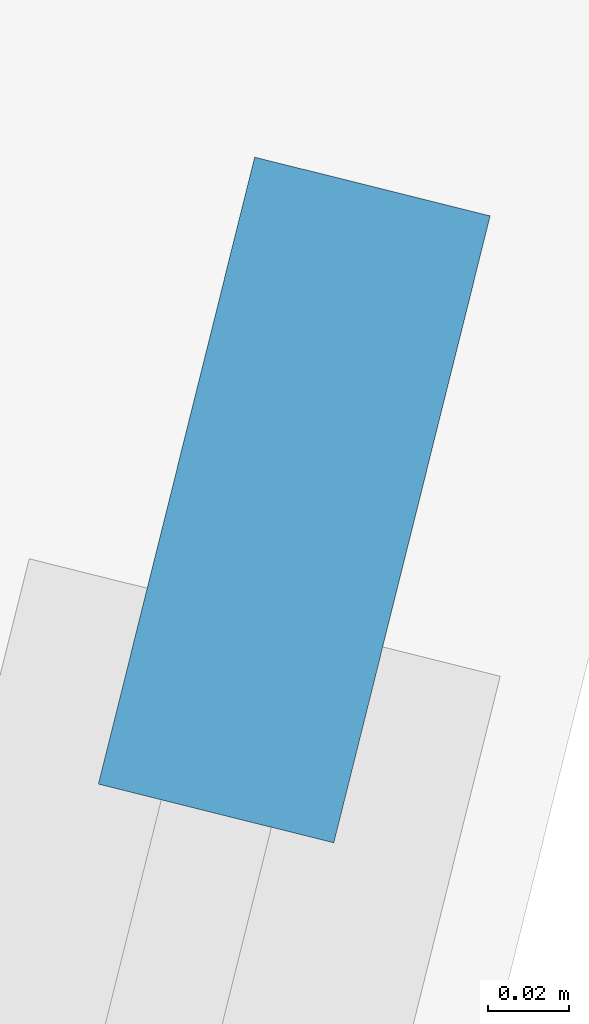
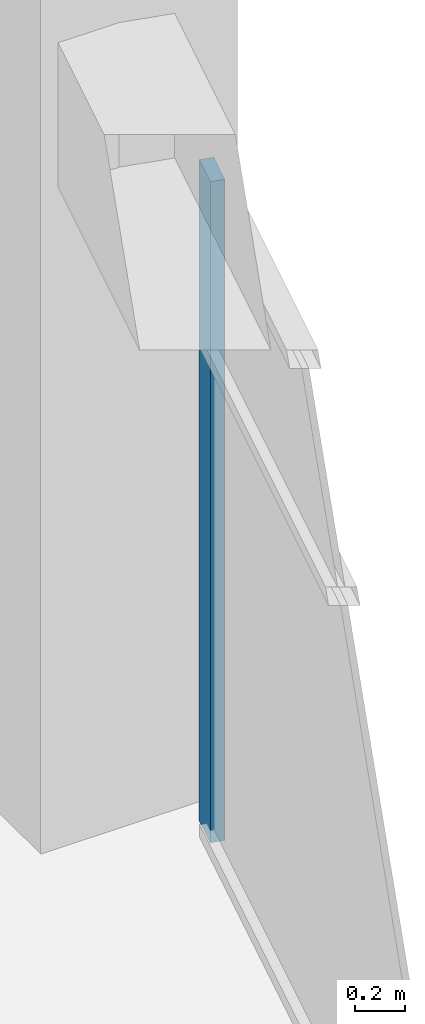
# One storey, part 5 of 13: 1 member, 1 element without a shape of its own.
"""IFC4 building model written with IfcOpenShell, lengths in metres."""

import ifcopenshell
import ifcopenshell.guid

model = None  # the IFC model being written
_history = None  # IfcOwnerHistory: only IFC2X3 demands one
_inside = {}  # id of a spatial element -> (the spatial element, [elements in it])
_under = {}  # id of a project, library or spatial element -> (it, [spatial elements below it])
_declared = {}  # id of a project -> (the project, [libraries it declares])
_typed = {}  # id of a type object -> (the type object, [elements of that type])
_made_of = {}  # id of a material, layer set ... -> (it, [elements and type objects made of it])


def new_model(schema):
    """Start an empty IFC model of exactly this schema.

    Asked for "IFC4X3", IfcOpenShell would pick the latest addendum, in which some entities
    have other attributes; the version numbers below select the first issue.
    IFC2X3 requires an IfcOwnerHistory on every rooted entity: one is made here for all.
    """
    global model, _history
    if schema == "IFC4X3":
        model = ifcopenshell.file(schema_version=(4, 3, 0, 0))
    else:
        model = ifcopenshell.file(schema=schema)
    _inside.clear()
    _under.clear()
    _declared.clear()
    _typed.clear()
    _made_of.clear()
    _history = None
    if model.schema == "IFC2X3":
        org = make("IfcOrganization", Name="unknown")
        user = make(
            "IfcPersonAndOrganization",
            ThePerson=make("IfcPerson", FamilyName="unknown"),
            TheOrganization=org,
        )
        app = make(
            "IfcApplication",
            ApplicationDeveloper=org,
            Version="unknown",
            ApplicationFullName="unknown",
            ApplicationIdentifier="unknown",
        )
        _history = make(
            "IfcOwnerHistory",
            OwningUser=user,
            OwningApplication=app,
            ChangeAction="ADDED",
            CreationDate=0,
        )
    return model


def make(cls, **values):
    """One entity of the class cls with the attributes given. An attribute that is None is left unset."""
    return model.create_entity(
        cls, **{name: value for name, value in values.items() if value is not None}
    )


def rooted(cls, **values):
    """An entity with a GlobalId (a new one), such as an element, a storey or a relation."""
    return make(cls, GlobalId=ifcopenshell.guid.new(), OwnerHistory=_history, **values)


def si_unit(unit_type, name, prefix=None):
    """IfcSIUnit, for example si_unit("LENGTHUNIT", "METRE", prefix="MILLI")."""
    return make("IfcSIUnit", UnitType=unit_type, Prefix=prefix, Name=name)


def assignment(units):
    """IfcUnitAssignment: the units of a project."""
    return None if units is None else make("IfcUnitAssignment", Units=units)


def point(xyz):
    """IfcCartesianPoint."""
    return None if xyz is None else make("IfcCartesianPoint", Coordinates=xyz)


def direction(xyz):
    """IfcDirection."""
    return None if xyz is None else make("IfcDirection", DirectionRatios=xyz)


def frame(location, z_axis=None, x_axis=None):
    """IfcAxis2Placement3D, a coordinate frame: its origin and axes. An axis left out is left unset."""
    return make(
        "IfcAxis2Placement3D",
        Location=point(location),
        Axis=direction(z_axis),
        RefDirection=direction(x_axis),
    )


def frame_2d(location, x_axis=None):
    """IfcAxis2Placement2D, a coordinate frame in the plane: its origin and x axis."""
    return make(
        "IfcAxis2Placement2D", Location=point(location), RefDirection=direction(x_axis)
    )


def origin():
    """The frame at (0, 0, 0) with its axes left unset."""
    return frame((0.0, 0.0, 0.0))


def origin_2d():
    """The frame at (0, 0) in the plane with its x axis left unset."""
    return frame_2d((0.0, 0.0))


def place(relative_to, where):
    """IfcLocalPlacement: puts the frame where relative to a parent placement (None: the world)."""
    return make(
        "IfcLocalPlacement", PlacementRelTo=relative_to, RelativePlacement=where
    )


def context(
    kind, dimensions, precision=None, world=None, true_north=None, identifier=None
):
    """IfcGeometricRepresentationContext, for example the 3D "Model" context."""
    return make(
        "IfcGeometricRepresentationContext",
        ContextIdentifier=identifier,
        ContextType=kind,
        CoordinateSpaceDimension=dimensions,
        Precision=precision,
        WorldCoordinateSystem=world,
        TrueNorth=true_north,
    )


def subcontext(parent, identifier, kind, view, scale=None):
    """IfcGeometricRepresentationSubContext, for example "Body" below "Model"."""
    return make(
        "IfcGeometricRepresentationSubContext",
        ContextIdentifier=identifier,
        ContextType=kind,
        ParentContext=parent,
        TargetScale=scale,
        TargetView=view,
    )


def project(units=None, contexts=None):
    """IfcProject with its units and contexts."""
    return rooted(
        "IfcProject",
        Name="project",
        RepresentationContexts=contexts,
        UnitsInContext=assignment(units),
    )


def spatial(cls, under=None, at=None, **own):
    """A site, building, storey or space (cls), placed at a placement, below another one or the project."""
    s = rooted(cls, ObjectPlacement=at, **own)
    if under is not None:
        _under.setdefault(under.id(), (under, []))[1].append(s)
    return s


def profile(cls, at=None, kind="AREA", **sizes):
    """A parametric profile (cls). Its sizes go by their IFC names, for example OverallWidth=200.0."""
    return make(cls, ProfileType=kind, Position=at, **sizes)


def rectangle(**sizes):
    """IfcRectangleProfileDef."""
    return profile("IfcRectangleProfileDef", **sizes)


def extrude(swept, where, along, depth):
    """IfcExtrudedAreaSolid: the profile swept, set in the frame where, extruded along a direction by depth."""
    return make(
        "IfcExtrudedAreaSolid",
        SweptArea=swept,
        Position=where,
        ExtrudedDirection=direction(along),
        Depth=depth,
    )


def shape(context_of_items, identifier, shape_type, items):
    """IfcShapeRepresentation: the items that make up one representation, for example the "Body"."""
    return make(
        "IfcShapeRepresentation",
        ContextOfItems=context_of_items,
        RepresentationIdentifier=identifier,
        RepresentationType=shape_type,
        Items=items,
    )


def material(Name=None, Category=None):
    """IfcMaterial."""
    return make("IfcMaterial", Name=Name, Category=Category)


def material_profile(
    of_material, cross_section, Name=None, Category=None, Priority=None
):
    """IfcMaterialProfile: a cross section and its material."""
    return make(
        "IfcMaterialProfile",
        Name=Name,
        Material=of_material,
        Profile=cross_section,
        Priority=Priority,
        Category=Category,
    )


def profile_set(profiles, Name=None, composite=None):
    """IfcMaterialProfileSet."""
    return make(
        "IfcMaterialProfileSet",
        Name=Name,
        MaterialProfiles=profiles,
        CompositeProfile=composite,
    )


def made_of(thing, what):
    """Note that an element or type object is made of a material, layer set ...; save() writes the relation."""
    if what is not None:
        _made_of.setdefault(what.id(), (what, []))[1].append(thing)
    return thing


def type_object(cls, material=None, **own):
    """A type object (cls), such as IfcWallType, which elements share."""
    return made_of(rooted(cls, **own), material)


def element(
    cls,
    number,
    at=None,
    inside=None,
    cuts=None,
    type_object=None,
    material=None,
    context=None,
    identifier="Body",
    shape_type=None,
    held_by="IfcProductDefinitionShape",
    body=None,
    shapes=None,
    **own,
):
    """One element of the class cls, such as IfcWall. Its Tag is "e" and its number.

    at: its placement. inside: the storey or other place that contains it. cuts: it is an
    opening in that element (IfcRelVoidsElement). A single representation is given by context,
    identifier, shape_type and body (its items); several are given by shapes. held_by: the class
    of the entity that holds the representations. save() writes the other relations.
    """
    e = rooted(cls, Tag="e%d" % number, ObjectPlacement=at, **own)
    if body is not None:
        shapes = [shape(context, identifier, shape_type, body)]
    if shapes is not None:
        e.Representation = make(held_by, Representations=shapes)
    if inside is not None:
        _inside.setdefault(inside.id(), (inside, []))[1].append(e)
    if cuts is not None:
        rooted(
            "IfcRelVoidsElement", RelatingBuildingElement=cuts, RelatedOpeningElement=e
        )
    if type_object is not None:
        _typed.setdefault(type_object.id(), (type_object, []))[1].append(e)
    return made_of(e, material)


def aggregate(whole, parts):
    """IfcRelAggregates: a whole, such as a stair, and the parts it consists of."""
    return rooted("IfcRelAggregates", RelatingObject=whole, RelatedObjects=parts)


def save(model, path):
    """Write the relations noted so far, then the file.

    IfcRelAggregates (storeys below a building ...), IfcRelContainedInSpatialStructure (elements
    in a storey), IfcRelDefinesByType, IfcRelAssociatesMaterial and IfcRelDeclares: one each for
    every whole, place, type object, material and project.
    """
    for whole, parts in _under.values():
        aggregate(whole, parts)
    for where, things in _inside.values():
        rooted(
            "IfcRelContainedInSpatialStructure",
            RelatedElements=things,
            RelatingStructure=where,
        )
    for kind, things in _typed.values():
        rooted("IfcRelDefinesByType", RelatedObjects=things, RelatingType=kind)
    for what, things in _made_of.values():
        rooted("IfcRelAssociatesMaterial", RelatedObjects=things, RelatingMaterial=what)
    for by, libraries in _declared.values():
        rooted("IfcRelDeclares", RelatingContext=by, RelatedDefinitions=libraries)
    model.write(path)


model = new_model("IFC4")

# Units and contexts
model_context = context("Model", 3, precision=1e-05, world=origin(), true_north=direction((0.0, 1.0)))
body_context = subcontext(model_context, "Body", "Model", "MODEL_VIEW")
ifc_project = project(units=[si_unit("LENGTHUNIT", "METRE"), si_unit("AREAUNIT", "SQUARE_METRE"), si_unit("VOLUMEUNIT", "CUBIC_METRE"), si_unit("PLANEANGLEUNIT", "RADIAN"), si_unit("MASSUNIT", "GRAM", prefix="KILO")], contexts=[model_context])

# Site, building, storey
site_placement = place(None, origin())
site = spatial("IfcSite", under=ifc_project, at=site_placement, CompositionType="ELEMENT")
building_placement = place(site_placement, origin())
building = spatial("IfcBuilding", under=site, at=building_placement, Name="Meshkara Civic Tower", CompositionType="ELEMENT")
storey_placement = place(building_placement, frame((0.0, 0.0, 383.39990234375)))
storey = spatial("IfcBuildingStorey", under=building, at=storey_placement, Name="L88", CompositionType="ELEMENT", Elevation=383.39990234375)

# Curtain wall, member
ifc_material_1 = material(Name="Tinted double glazing", Category="glass")
curtain_wall_type = type_object("IfcCurtainWallType", Name="CW POOL PAVILION AND FOYER", PredefinedType="NOTDEFINED", material=ifc_material_1)
curtain_wall_placement = place(storey_placement, origin())
curtain_wall = element("IfcCurtainWall", 1, at=curtain_wall_placement, inside=storey, type_object=curtain_wall_type, Name="Curtain wall CW4", PredefinedType="NOTDEFINED")
ifc_material_2 = material(Name="Bronze anodised aluminium", Category="aluminium")
ifc_material_profile = material_profile(ifc_material_2, rectangle(XDim=0.06005859375, YDim=0.159912109375, at=origin_2d()))
ifc_profile_set = profile_set([ifc_material_profile], Name="Bronze anodised aluminium")
member_type = type_object("IfcMemberType", Name="CW MULLION 60x160", PredefinedType="MULLION", material=ifc_profile_set)
member_placement = place(storey_placement, frame((63.0517578125, 3.466796875, 0.0), z_axis=(0.0, 0.0, 1.0), x_axis=(-0.970294309987, 0.241927575952, 0.0)))
member = element("IfcMember", 2, at=member_placement, type_object=member_type, Name="CW4 mullion 2", PredefinedType="MULLION", context=body_context, shape_type="SweptSolid", body=[
    extrude(rectangle(XDim=0.06005859375, YDim=0.159912109375, at=origin_2d()), origin(), (0.0, 0.0, 1.0), 3.2001953125),
])
aggregate(curtain_wall, [member])

save(model, "model.ifc")
